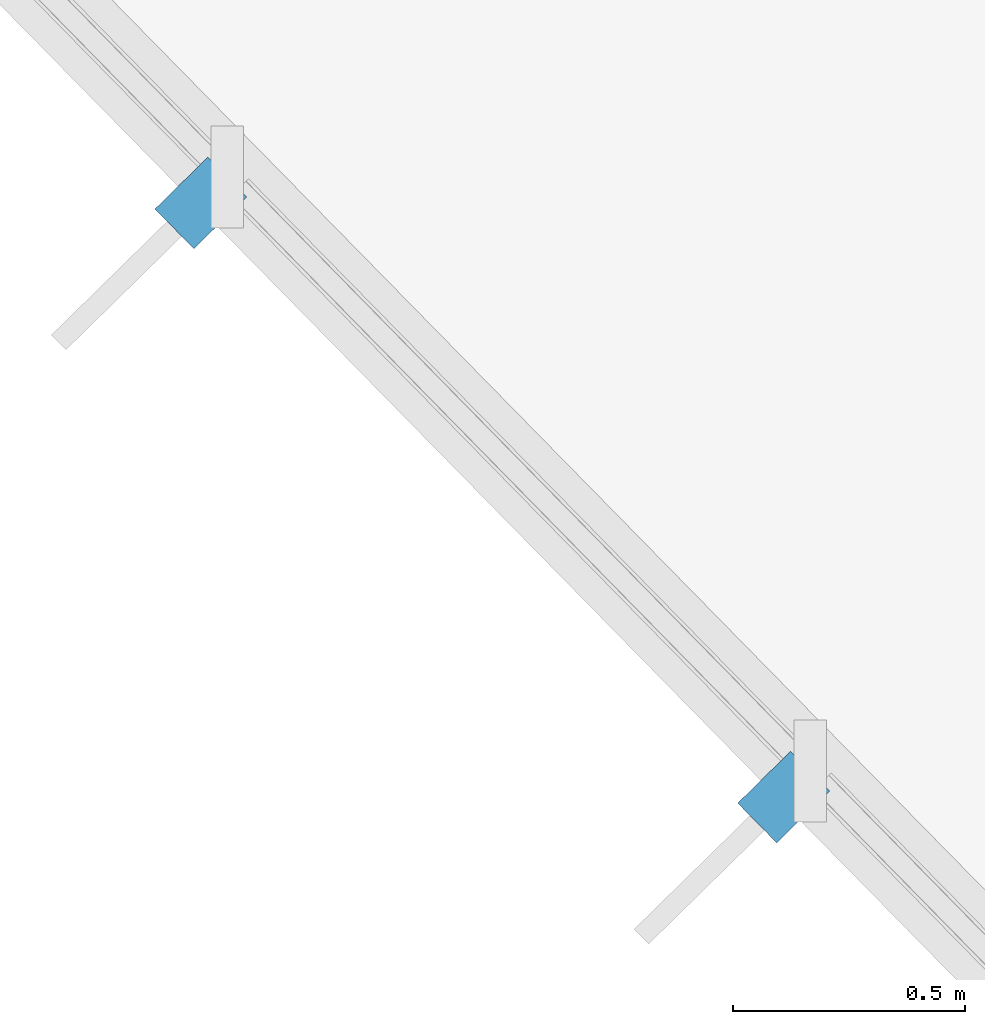
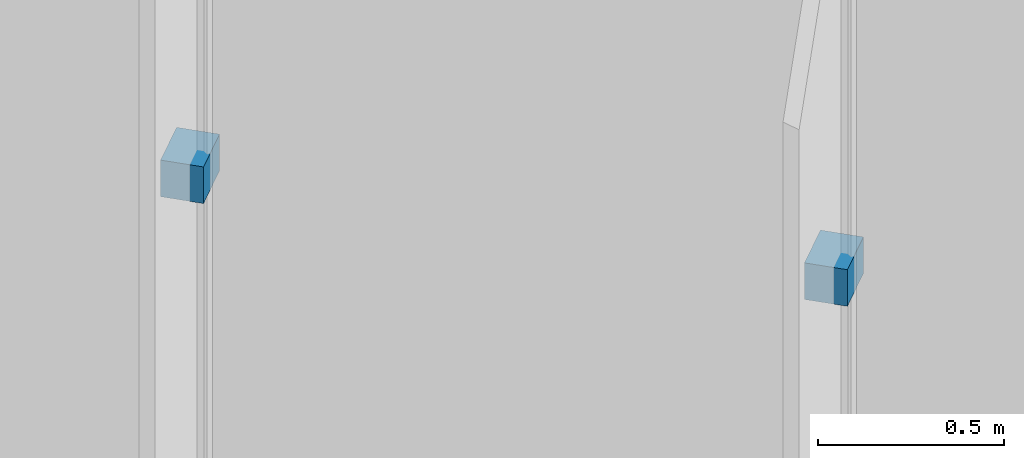
# One storey, part 52 of 104: 2 discrete accessories.
"""IFC4 building model written with IfcOpenShell, lengths in metres."""

from ifc_helpers import new_model, si_unit, direction, frame, origin, origin_2d, place, context, subcontext, project, spatial, rectangle, extrude, material, type_object, element, save


model = new_model("IFC4")

# Units and contexts
model_context = context("Model", 3, precision=1e-05, world=origin(), true_north=direction((0.0, 1.0)))
body_context = subcontext(model_context, "Body", "Model", "MODEL_VIEW")
ifc_project = project(units=[si_unit("LENGTHUNIT", "METRE"), si_unit("AREAUNIT", "SQUARE_METRE"), si_unit("VOLUMEUNIT", "CUBIC_METRE"), si_unit("PLANEANGLEUNIT", "RADIAN"), si_unit("MASSUNIT", "GRAM", prefix="KILO")], contexts=[model_context])

# Site, building, storey
site_placement = place(None, origin())
site = spatial("IfcSite", under=ifc_project, at=site_placement, CompositionType="ELEMENT")
building_placement = place(site_placement, origin())
building = spatial("IfcBuilding", under=site, at=building_placement, Name="Tazoul Stagehouse", CompositionType="ELEMENT")
storey_placement = place(building_placement, frame((0.0, 0.0, 9.0)))
storey = spatial("IfcBuildingStorey", under=building, at=storey_placement, Name="L02", CompositionType="ELEMENT", Elevation=9.0)

# Discrete accessories
ifc_material = material(Name="Austenitic Stainless Steel EN 1.4401", Category="steel")
discrete_accessory_type = type_object("IfcDiscreteAccessoryType", Name="Stainless Steel Louvre Support Cleat Bracket", PredefinedType="BRACKET", material=ifc_material)
for number, where, z_axis, x_axis, name in (
    (1, (112.8427734375, 5.774658203125, 2.78564453125), (0.0, 0.0, 1.0), (0.700246698398, -0.713900946479, 0.0), "Cleat Bracket BRK-01 CW-V5-CRN-L02-C17-BRK01"),
    (2, (114.100830078125, 4.4921875, 2.78564453125), (0.0, 0.0, 1.0), (0.700246698398, -0.713900946479, 0.0), "Cleat Bracket BRK-01 CW-V5-CRN-L02-C17-BRK02"),
):
    element("IfcDiscreteAccessory", number, at=place(storey_placement, frame(where, z_axis=z_axis, x_axis=x_axis)), inside=storey, type_object=discrete_accessory_type, Name=name, PredefinedType="BRACKET", context=body_context, shape_type="SweptSolid", body=[
        extrude(rectangle(XDim=0.1201171875, YDim=0.159912109375, at=origin_2d()), origin(), (0.0, 0.0, 1.0), 0.1201171875),
    ])

save(model, "model.ifc")
